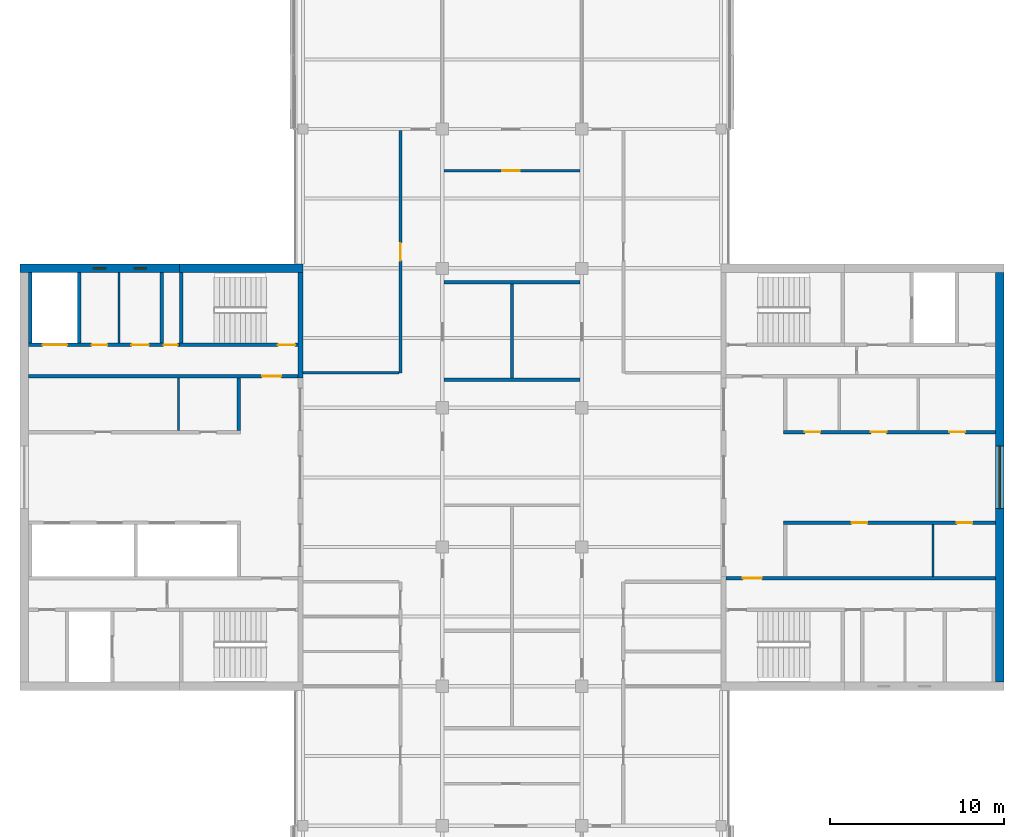
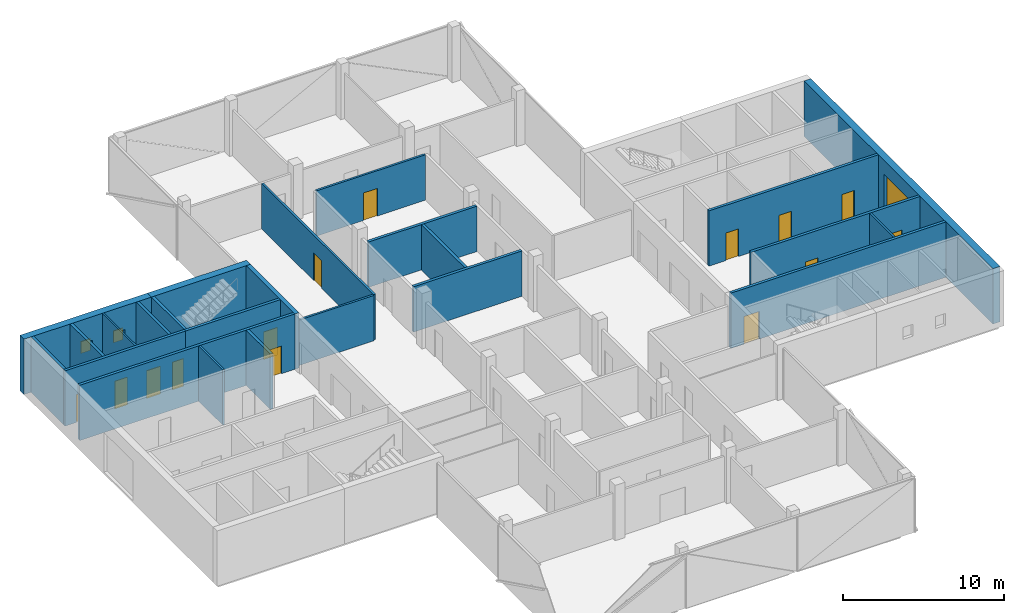
# One storey, part 11 of 16: 24 walls, 14 doors, 3 windows, 17 openings.
"""IFC4 building model written with IfcOpenShell, lengths in metres."""

from ifc_helpers import new_model, si_unit, direction, frame, frame_2d, origin, place, context, subcontext, project, spatial, rectangle, extrude, material, layer, layer_set, constituent, constituent_set, type_object, element, fill, save


model = new_model("IFC4")

# Units and contexts
model_context = context("Model", 3, precision=1e-05, world=origin(), true_north=direction((0.0, 1.0)))
body_context = subcontext(model_context, "Body", "Model", "MODEL_VIEW")
ifc_project = project(units=[si_unit("LENGTHUNIT", "METRE"), si_unit("AREAUNIT", "SQUARE_METRE"), si_unit("VOLUMEUNIT", "CUBIC_METRE"), si_unit("PLANEANGLEUNIT", "RADIAN"), si_unit("MASSUNIT", "GRAM", prefix="KILO")], contexts=[model_context])

# Site, building, storey
site_placement = place(None, origin())
site = spatial("IfcSite", under=ifc_project, at=site_placement, CompositionType="ELEMENT")
building_placement = place(site_placement, origin())
building = spatial("IfcBuilding", under=site, at=building_placement, Name="Crosswind Convention Tower", CompositionType="ELEMENT")
storey_placement = place(building_placement, frame((0.0, 0.0, 287.10009765625)))
storey = spatial("IfcBuildingStorey", under=building, at=storey_placement, Name="L62", CompositionType="ELEMENT", Elevation=287.10009765625)

# Walls
ifc_material_1 = material(Name="Concrete blockwork", Category="masonry")
ifc_layer_1 = layer(ifc_material_1, 0.199951171875)
ifc_layer_set_1 = layer_set([ifc_layer_1], Name="Blockwork partition wall 200")
wall_type_1 = type_object("IfcWallType", Name="Blockwork partition wall 200", PredefinedType="PARTITIONING", material=ifc_layer_set_1)
wall_1_placement = place(storey_placement, frame((104.89990234375, 111.75, 0.0), z_axis=(0.0, 0.0, 1.0), x_axis=(0.0, -1.0, 0.0)))
element("IfcWall", 1, at=wall_1_placement, inside=storey, type_object=wall_type_1, Name="Wall MRSE W L62", PredefinedType="PARTITIONING", context=body_context, shape_type="SweptSolid", body=[
    extrude(rectangle(XDim=4.050048828125, YDim=0.199951171875, at=frame_2d((2.02490234375, 0.0))), origin(), (0.0, 0.0, 1.0), 4.199951171875),
])
ifc_layer_2 = layer(ifc_material_1, 0.199951171875)
ifc_layer_set_2 = layer_set([ifc_layer_2], Name="COMPARTMENT WALL 200 BLOCKWORK")
wall_type_2 = type_object("IfcWallType", Name="COMPARTMENT WALL 200 BLOCKWORK", PredefinedType="SOLIDWALL", material=ifc_layer_set_2)
wall_2_placement = place(storey_placement, frame((125.0, 105.699951171875, 0.0), z_axis=(0.0, 0.0, 1.0), x_axis=(0.0, 1.0, 0.0)))
element("IfcWall", 2, at=wall_2_placement, inside=storey, type_object=wall_type_2, Name="Compartment wall WT42", PredefinedType="SOLIDWALL", context=body_context, shape_type="SweptSolid", body=[
    extrude(rectangle(XDim=5.400146484375, YDim=0.199951171875, at=frame_2d((2.7001953125, 0.0))), origin(), (0.0, 0.0, 1.0), 3.442626953125),
])
for number, where, z_axis, x_axis, name in (
    (3, (121.10009765625, 105.60009765625, 0.0), (0.0, 0.0, 1.0), (1.0, 0.0, 0.0), "Compartment wall WT42"),
    (4, (121.10009765625, 111.199951171875, 0.0), (0.0, 0.0, 1.0), (1.0, 0.0, 0.0), "Compartment wall WT42"),
):
    element("IfcWall", number, at=place(storey_placement, frame(where, z_axis=z_axis, x_axis=x_axis)), inside=storey, type_object=wall_type_2, Name=name, PredefinedType="SOLIDWALL", context=body_context, shape_type="SweptSolid", body=[
        extrude(rectangle(XDim=7.7998046875, YDim=0.199951171875, at=frame_2d((3.89990234375, 0.0))), origin(), (0.0, 0.0, 1.0), 3.442626953125),
    ])
ifc_material_2 = material(Name="Concrete C50/60", Category="concrete")
ifc_layer_3 = layer(ifc_material_2, 0.300048828125)
ifc_layer_set_3 = layer_set([ifc_layer_3], Name="Concrete C50/60")
wall_type_3 = type_object("IfcWallType", Name="Concrete inner core wall 300", PredefinedType="SHEAR", material=ifc_layer_set_3)
wall_3_placement = place(storey_placement, frame((112.85009765625, 111.75, 0.0), z_axis=(0.0, 0.0, 1.0), x_axis=(0.0, -1.0, 0.0)))
element("IfcWall", 5, at=wall_3_placement, inside=storey, type_object=wall_type_3, Name="Wall EM W L62", PredefinedType="SHEAR", context=body_context, shape_type="SweptSolid", body=[
    extrude(rectangle(XDim=6.050048828125, YDim=0.300048828125, at=frame_2d((3.02490234375, 0.0))), origin(), (0.0, 0.0, 1.0), 4.199951171875),
])

# Wall, openings, doors
ifc_layer_4 = layer(ifc_material_2, 0.199951171875)
ifc_layer_set_4 = layer_set([ifc_layer_4], Name="Concrete C50/60")
wall_type_4 = type_object("IfcWallType", Name="Concrete shaft and stair wall 200", PredefinedType="SHEAR", material=ifc_layer_set_4)
wall_4_placement = place(storey_placement, frame((140.60009765625, 102.60009765625, 0.0), z_axis=(0.0, 0.0, 1.0), x_axis=(1.0, 0.0, 0.0)))
wall_4 = element("IfcWall", 6, at=wall_4_placement, inside=storey, type_object=wall_type_4, Name="Wall RPFRONT E L62", PredefinedType="SHEAR", context=body_context, shape_type="SweptSolid", body=[
    extrude(rectangle(XDim=12.14990234375, YDim=0.199951171875, at=frame_2d((6.074951171875, 0.0))), origin(), (0.0, 0.0, 1.0), 4.199951171875),
])
opening_1_placement = place(wall_4_placement, frame((1.21240234375, 0.0, 0.0)))
opening_1 = element("IfcOpeningElement", 7, at=opening_1_placement, cuts=wall_4, Name="Opening D106", PredefinedType="OPENING", context=body_context, shape_type="SweptSolid", body=[
    extrude(rectangle(XDim=0.89990234375, YDim=2.10009765625, at=frame_2d((0.449951171875, 1.050048828125))), frame((0.0, 0.10986328125, 0.0), z_axis=(0.0, -1.0, 0.0), x_axis=(1.0, 0.0, 0.0)), (0.0, 0.0, 1.0), 0.219970703125),
])
opening_2_placement = place(wall_4_placement, frame((5.008056640625, 0.0, 0.0)))
opening_2 = element("IfcOpeningElement", 8, at=opening_2_placement, cuts=wall_4, Name="Opening D106", PredefinedType="OPENING", context=body_context, shape_type="SweptSolid", body=[
    extrude(rectangle(XDim=0.89990234375, YDim=2.10009765625, at=frame_2d((0.449951171875, 1.050048828125))), frame((0.0, 0.10986328125, 0.0), z_axis=(0.0, -1.0, 0.0), x_axis=(1.0, 0.0, 0.0)), (0.0, 0.0, 1.0), 0.219970703125),
])
opening_3_placement = place(wall_4_placement, frame((9.5205078125, 0.0, 0.0)))
opening_3 = element("IfcOpeningElement", 9, at=opening_3_placement, cuts=wall_4, Name="Opening D106", PredefinedType="OPENING", context=body_context, shape_type="SweptSolid", body=[
    extrude(rectangle(XDim=0.89990234375, YDim=2.10009765625, at=frame_2d((0.449951171875, 1.050048828125))), frame((0.0, 0.10986328125, 0.0), z_axis=(0.0, -1.0, 0.0), x_axis=(1.0, 0.0, 0.0)), (0.0, 0.0, 1.0), 0.219970703125),
])
ifc_material_3 = material(Name="Timber door", Category="wood")
door_type_1 = type_object("IfcDoorType", Name="Single leaf door 900x2100", OperationType="NOTDEFINED", PredefinedType="DOOR", material=ifc_material_3)
door_1_placement = place(opening_1_placement, origin())
door_1 = element("IfcDoor", 10, at=door_1_placement, inside=storey, type_object=door_type_1, Name="Door to meeting room L62", ObjectType="D106", OperationType="SINGLE_SWING_RIGHT", OverallHeight=2.10009765625, OverallWidth=0.89990234375, PredefinedType="DOOR", context=body_context, shape_type="SweptSolid", body=[
    extrude(rectangle(XDim=0.89990234375, YDim=2.10009765625, at=frame_2d((0.449951171875, 1.050048828125))), frame((0.0, 0.02490234375, 0.0), z_axis=(0.0, -1.0, 0.0), x_axis=(1.0, 0.0, 0.0)), (0.0, 0.0, 1.0), 0.050048828125),
])
fill(opening_1, door_1)
door_2_placement = place(opening_2_placement, origin())
door_2 = element("IfcDoor", 11, at=door_2_placement, inside=storey, type_object=door_type_1, Name="Door to pantry L62", ObjectType="D106", OperationType="SINGLE_SWING_RIGHT", OverallHeight=2.10009765625, OverallWidth=0.89990234375, PredefinedType="DOOR", context=body_context, shape_type="SweptSolid", body=[
    extrude(rectangle(XDim=0.89990234375, YDim=2.10009765625, at=frame_2d((0.449951171875, 1.050048828125))), frame((0.0, 0.02490234375, 0.0), z_axis=(0.0, -1.0, 0.0), x_axis=(1.0, 0.0, 0.0)), (0.0, 0.0, 1.0), 0.050048828125),
])
fill(opening_2, door_2)
door_3_placement = place(opening_3_placement, origin())
door_3 = element("IfcDoor", 12, at=door_3_placement, inside=storey, type_object=door_type_1, Name="Door to telecoms room L62", ObjectType="D106", OperationType="SINGLE_SWING_RIGHT", OverallHeight=2.10009765625, OverallWidth=0.89990234375, PredefinedType="DOOR", context=body_context, shape_type="SweptSolid", body=[
    extrude(rectangle(XDim=0.89990234375, YDim=2.10009765625, at=frame_2d((0.449951171875, 1.050048828125))), frame((0.0, 0.02490234375, 0.0), z_axis=(0.0, -1.0, 0.0), x_axis=(1.0, 0.0, 0.0)), (0.0, 0.0, 1.0), 0.050048828125),
])
fill(opening_3, door_3)

wall_5_placement = place(storey_placement, frame((140.60009765625, 97.39990234375, 0.0), z_axis=(0.0, 0.0, 1.0), x_axis=(1.0, 0.0, 0.0)))
wall_5 = element("IfcWall", 13, at=wall_5_placement, inside=storey, type_object=wall_type_4, Name="Wall RMFRONT E L62", PredefinedType="SHEAR", context=body_context, shape_type="SweptSolid", body=[
    extrude(rectangle(XDim=12.14990234375, YDim=0.199951171875, at=frame_2d((6.074951171875, 0.0))), origin(), (0.0, 0.0, 1.0), 4.199951171875),
])
opening_4_placement = place(wall_5_placement, frame((3.9013671875, 0.0, 0.0)))
opening_4 = element("IfcOpeningElement", 14, at=opening_4_placement, cuts=wall_5, Name="Opening D106", PredefinedType="OPENING", context=body_context, shape_type="SweptSolid", body=[
    extrude(rectangle(XDim=0.89990234375, YDim=2.10009765625, at=frame_2d((0.449951171875, 1.050048828125))), frame((0.0, 0.10986328125, 0.0), z_axis=(0.0, -1.0, 0.0), x_axis=(1.0, 0.0, 0.0)), (0.0, 0.0, 1.0), 0.219970703125),
])
opening_5_placement = place(wall_5_placement, frame((9.938720703125, 0.0, 0.0)))
opening_5 = element("IfcOpeningElement", 15, at=opening_5_placement, cuts=wall_5, Name="Opening D106", PredefinedType="OPENING", context=body_context, shape_type="SweptSolid", body=[
    extrude(rectangle(XDim=0.89990234375, YDim=2.10009765625, at=frame_2d((0.449951171875, 1.050048828125))), frame((0.0, 0.10986328125, 0.0), z_axis=(0.0, -1.0, 0.0), x_axis=(1.0, 0.0, 0.0)), (0.0, 0.0, 1.0), 0.219970703125),
])
door_4_placement = place(opening_4_placement, frame((0.89990234375, 0.0, 0.0), z_axis=(0.0, 0.0, 1.0), x_axis=(-1.0, 0.0, 0.0)))
door_4 = element("IfcDoor", 16, at=door_4_placement, inside=storey, type_object=door_type_1, Name="Door to pantry L62", ObjectType="D106", OperationType="SINGLE_SWING_LEFT", OverallHeight=2.10009765625, OverallWidth=0.89990234375, PredefinedType="DOOR", context=body_context, shape_type="SweptSolid", body=[
    extrude(rectangle(XDim=0.89990234375, YDim=2.10009765625, at=frame_2d((0.449951171875, 1.050048828125))), frame((0.0, 0.02490234375, 0.0), z_axis=(0.0, -1.0, 0.0), x_axis=(1.0, 0.0, 0.0)), (0.0, 0.0, 1.0), 0.050048828125),
])
fill(opening_4, door_4)
door_5_placement = place(opening_5_placement, frame((0.89990234375, 0.0, 0.0), z_axis=(0.0, 0.0, 1.0), x_axis=(-1.0, 0.0, 0.0)))
door_5 = element("IfcDoor", 17, at=door_5_placement, inside=storey, type_object=door_type_1, Name="Door to telecoms room L62", ObjectType="D106", OperationType="SINGLE_SWING_LEFT", OverallHeight=2.10009765625, OverallWidth=0.89990234375, PredefinedType="DOOR", context=body_context, shape_type="SweptSolid", body=[
    extrude(rectangle(XDim=0.89990234375, YDim=2.10009765625, at=frame_2d((0.449951171875, 1.050048828125))), frame((0.0, 0.02490234375, 0.0), z_axis=(0.0, -1.0, 0.0), x_axis=(1.0, 0.0, 0.0)), (0.0, 0.0, 1.0), 0.050048828125),
])
fill(opening_5, door_5)

# Wall, opening, door
wall_6_placement = place(storey_placement, frame((137.300048828125, 94.199951171875, 0.0), z_axis=(0.0, 0.0, 1.0), x_axis=(1.0, 0.0, 0.0)))
wall_6 = element("IfcWall", 18, at=wall_6_placement, inside=storey, type_object=wall_type_4, Name="Wall HM E L62", PredefinedType="SHEAR", context=body_context, shape_type="SweptSolid", body=[
    extrude(rectangle(XDim=15.449951171875, YDim=0.199951171875, at=frame_2d((7.72509765625, 0.0))), origin(), (0.0, 0.0, 1.0), 4.199951171875),
])
opening_6_placement = place(wall_6_placement, frame((0.949951171875, 0.0, 0.0)))
opening_6 = element("IfcOpeningElement", 19, at=opening_6_placement, cuts=wall_6, Name="Opening D104", PredefinedType="OPENING", context=body_context, shape_type="SweptSolid", body=[
    extrude(rectangle(XDim=1.10009765625, YDim=2.10009765625, at=frame_2d((0.550048828125, 1.050048828125))), frame((0.0, 0.10986328125, 0.0), z_axis=(0.0, -1.0, 0.0), x_axis=(1.0, 0.0, 0.0)), (0.0, 0.0, 1.0), 0.219970703125),
])
ifc_material_4 = material(Name="Steel fire door", Category="steel")
door_type_2 = type_object("IfcDoorType", Name="Fire-rated single door 1100x2100", OperationType="NOTDEFINED", PredefinedType="DOOR", material=ifc_material_4)
door_6_placement = place(opening_6_placement, origin())
door_6 = element("IfcDoor", 20, at=door_6_placement, inside=storey, type_object=door_type_2, Name="Corridor door L62", ObjectType="D104", OperationType="SINGLE_SWING_LEFT", OverallHeight=2.10009765625, OverallWidth=1.10009765625, PredefinedType="DOOR", context=body_context, shape_type="SweptSolid", body=[
    extrude(rectangle(XDim=1.10009765625, YDim=2.10009765625, at=frame_2d((0.550048828125, 1.050048828125))), frame((0.0, 0.02490234375, 0.0), z_axis=(0.0, -1.0, 0.0), x_axis=(1.0, 0.0, 0.0)), (0.0, 0.0, 1.0), 0.050048828125),
])
fill(opening_6, door_6)

# Wall
wall_7_placement = place(storey_placement, frame((109.300048828125, 105.699951171875, 0.0), z_axis=(0.0, 0.0, 1.0), x_axis=(0.0, -1.0, 0.0)))
element("IfcWall", 21, at=wall_7_placement, inside=storey, type_object=wall_type_4, Name="Wall RMEND W L62", PredefinedType="SHEAR", context=body_context, shape_type="SweptSolid", body=[
    extrude(rectangle(XDim=3.0, YDim=0.199951171875, at=frame_2d((1.5, 0.0))), origin(), (0.0, 0.0, 1.0), 4.199951171875),
])

# Wall, opening, door
wall_8_placement = place(storey_placement, frame((112.699951171875, 105.800048828125, 0.0), z_axis=(0.0, 0.0, 1.0), x_axis=(-1.0, 0.0, 0.0)))
wall_8 = element("IfcWall", 22, at=wall_8_placement, inside=storey, type_object=wall_type_4, Name="Wall HM W L62", PredefinedType="SHEAR", context=body_context, shape_type="SweptSolid", body=[
    extrude(rectangle(XDim=15.449951171875, YDim=0.199951171875, at=frame_2d((7.72509765625, 0.0))), origin(), (0.0, 0.0, 1.0), 4.199951171875),
])
opening_7_placement = place(wall_8_placement, frame((0.949951171875, 0.0, 0.0)))
opening_7 = element("IfcOpeningElement", 23, at=opening_7_placement, cuts=wall_8, Name="Opening D104", PredefinedType="OPENING", context=body_context, shape_type="SweptSolid", body=[
    extrude(rectangle(XDim=1.10009765625, YDim=2.10009765625, at=frame_2d((0.550048828125, 1.050048828125))), frame((0.0, 0.10986328125, 0.0), z_axis=(0.0, -1.0, 0.0), x_axis=(1.0, 0.0, 0.0)), (0.0, 0.0, 1.0), 0.219970703125),
])
door_7_placement = place(opening_7_placement, origin())
door_7 = element("IfcDoor", 24, at=door_7_placement, inside=storey, type_object=door_type_2, Name="Corridor door L62", ObjectType="D104", OperationType="SINGLE_SWING_LEFT", OverallHeight=2.10009765625, OverallWidth=1.10009765625, PredefinedType="DOOR", context=body_context, shape_type="SweptSolid", body=[
    extrude(rectangle(XDim=1.10009765625, YDim=2.10009765625, at=frame_2d((0.550048828125, 1.050048828125))), frame((0.0, 0.02490234375, 0.0), z_axis=(0.0, -1.0, 0.0), x_axis=(1.0, 0.0, 0.0)), (0.0, 0.0, 1.0), 0.050048828125),
])
fill(opening_7, door_7)

# Walls
for number, where, z_axis, x_axis, name in (
    (25, (106.0, 111.75, 0.0), (0.0, 0.0, 1.0), (0.0, -1.0, 0.0), "Wall MSE W L62"),
    (26, (100.14990234375, 111.75, 0.0), (0.0, 0.0, 1.0), (0.0, -1.0, 0.0), "Wall MFSW W L62"),
    (27, (97.35009765625, 111.75, 0.0), (0.0, 0.0, 1.0), (0.0, -1.0, 0.0), "Wall MFSE W L62"),
):
    element("IfcWall", number, at=place(storey_placement, frame(where, z_axis=z_axis, x_axis=x_axis)), inside=storey, type_object=wall_type_4, Name=name, PredefinedType="SHEAR", context=body_context, shape_type="SweptSolid", body=[
        extrude(rectangle(XDim=4.050048828125, YDim=0.199951171875, at=frame_2d((2.02490234375, 0.0))), origin(), (0.0, 0.0, 1.0), 4.199951171875),
    ])

# Wall, opening, door
wall_9_placement = place(storey_placement, frame((112.699951171875, 107.60009765625, 0.0), z_axis=(0.0, 0.0, 1.0), x_axis=(-1.0, 0.0, 0.0)))
wall_9 = element("IfcWall", 28, at=wall_9_placement, inside=storey, type_object=wall_type_4, Name="Wall MCW W L62", PredefinedType="SHEAR", context=body_context, shape_type="SweptSolid", body=[
    extrude(rectangle(XDim=6.800048828125, YDim=0.199951171875, at=frame_2d((3.39990234375, 0.0))), origin(), (0.0, 0.0, 1.0), 4.199951171875),
])
opening_8_placement = place(wall_9_placement, frame((0.14990234375, 0.0, 0.0)))
opening_8 = element("IfcOpeningElement", 29, at=opening_8_placement, cuts=wall_9, Name="Opening D103", PredefinedType="OPENING", context=body_context, shape_type="SweptSolid", body=[
    extrude(rectangle(XDim=1.0, YDim=2.10009765625, at=frame_2d((0.5, 1.050048828125))), frame((0.0, 0.10986328125, 0.0), z_axis=(0.0, -1.0, 0.0), x_axis=(1.0, 0.0, 0.0)), (0.0, 0.0, 1.0), 0.219970703125),
])
door_type_3 = type_object("IfcDoorType", Name="Fire-rated single door 1000x2100", OperationType="NOTDEFINED", PredefinedType="DOOR", material=ifc_material_4)
door_8_placement = place(opening_8_placement, frame((1.0, 0.0, 0.0), z_axis=(0.0, 0.0, 1.0), x_axis=(-1.0, 0.0, 0.0)))
door_8 = element("IfcDoor", 30, at=door_8_placement, inside=storey, type_object=door_type_3, Name="Stair ST4 door L62", ObjectType="D103", OperationType="SINGLE_SWING_RIGHT", OverallHeight=2.10009765625, OverallWidth=1.0, PredefinedType="DOOR", context=body_context, shape_type="SweptSolid", body=[
    extrude(rectangle(XDim=1.0, YDim=2.10009765625, at=frame_2d((0.5, 1.050048828125))), frame((0.0, 0.02490234375, 0.0), z_axis=(0.0, -1.0, 0.0), x_axis=(1.0, 0.0, 0.0)), (0.0, 0.0, 1.0), 0.050048828125),
])
fill(opening_8, door_8)

# Wall, openings, doors
wall_10_placement = place(storey_placement, frame((105.89990234375, 107.60009765625, 0.0), z_axis=(0.0, 0.0, 1.0), x_axis=(-1.0, 0.0, 0.0)))
wall_10 = element("IfcWall", 31, at=wall_10_placement, inside=storey, type_object=wall_type_4, Name="Wall MCX W L62", PredefinedType="SHEAR", context=body_context, shape_type="SweptSolid", body=[
    extrude(rectangle(XDim=8.64990234375, YDim=0.199951171875, at=frame_2d((4.324951171875, 0.0))), origin(), (0.0, 0.0, 1.0), 4.199951171875),
])
opening_9_placement = place(wall_10_placement, frame((0.10009765625, 0.0, 0.0)))
opening_9 = element("IfcOpeningElement", 32, at=opening_9_placement, cuts=wall_10, Name="Opening D105", PredefinedType="OPENING", context=body_context, shape_type="SweptSolid", body=[
    extrude(rectangle(XDim=0.800048828125, YDim=2.10009765625, at=frame_2d((0.39990234375, 1.050048828125))), frame((0.0, 0.10986328125, 0.0), z_axis=(0.0, -1.0, 0.0), x_axis=(1.0, 0.0, 0.0)), (0.0, 0.0, 1.0), 0.219970703125),
])
opening_10_placement = place(wall_10_placement, frame((1.751708984375, 0.0, 0.0)))
opening_10 = element("IfcOpeningElement", 33, at=opening_10_placement, cuts=wall_10, Name="Opening D103", PredefinedType="OPENING", context=body_context, shape_type="SweptSolid", body=[
    extrude(rectangle(XDim=1.0, YDim=2.10009765625, at=frame_2d((0.5, 1.050048828125))), frame((0.0, 0.10986328125, 0.0), z_axis=(0.0, -1.0, 0.0), x_axis=(1.0, 0.0, 0.0)), (0.0, 0.0, 1.0), 0.219970703125),
])
opening_11_placement = place(wall_10_placement, frame((4.13916015625, 0.0, 0.0)))
opening_11 = element("IfcOpeningElement", 34, at=opening_11_placement, cuts=wall_10, Name="Opening D106", PredefinedType="OPENING", context=body_context, shape_type="SweptSolid", body=[
    extrude(rectangle(XDim=0.89990234375, YDim=2.10009765625, at=frame_2d((0.449951171875, 1.050048828125))), frame((0.0, 0.10986328125, 0.0), z_axis=(0.0, -1.0, 0.0), x_axis=(1.0, 0.0, 0.0)), (0.0, 0.0, 1.0), 0.219970703125),
])
opening_12_placement = place(wall_10_placement, frame((6.449951171875, 0.0, 0.0)))
opening_12 = element("IfcOpeningElement", 35, at=opening_12_placement, cuts=wall_10, Name="Opening LD2", PredefinedType="OPENING", context=body_context, shape_type="SweptSolid", body=[
    extrude(rectangle(XDim=1.39990234375, YDim=2.10009765625, at=frame_2d((0.699951171875, 1.050048828125))), frame((0.0, 0.10986328125, 0.0), z_axis=(0.0, -1.0, 0.0), x_axis=(1.0, 0.0, 0.0)), (0.0, 0.0, 1.0), 0.219970703125),
])
door_9_placement = place(opening_10_placement, frame((1.0, 0.0, 0.0), z_axis=(0.0, 0.0, 1.0), x_axis=(-1.0, 0.0, 0.0)))
door_9 = element("IfcDoor", 36, at=door_9_placement, inside=storey, type_object=door_type_3, Name="Door to accessible wc L62", ObjectType="D103", OperationType="SINGLE_SWING_LEFT", OverallHeight=2.10009765625, OverallWidth=1.0, PredefinedType="DOOR", context=body_context, shape_type="SweptSolid", body=[
    extrude(rectangle(XDim=1.0, YDim=2.10009765625, at=frame_2d((0.5, 1.050048828125))), frame((0.0, 0.02490234375, 0.0), z_axis=(0.0, -1.0, 0.0), x_axis=(1.0, 0.0, 0.0)), (0.0, 0.0, 1.0), 0.050048828125),
])
fill(opening_10, door_9)
ifc_material_5 = material(Name="Stainless steel", Category="steel")
door_type_4 = type_object("IfcDoorType", Name="Lift landing door 1400x2100", OperationType="DOUBLE_DOOR_SLIDING", PredefinedType="DOOR", material=ifc_material_5)
door_10_placement = place(opening_12_placement, origin())
door_10 = element("IfcDoor", 37, at=door_10_placement, inside=storey, type_object=door_type_4, Name="Landing door SV2 L62", ObjectType="LD2", OperationType="DOUBLE_DOOR_SLIDING", OverallHeight=2.10009765625, OverallWidth=1.39990234375, PredefinedType="DOOR", context=body_context, shape_type="SweptSolid", body=[
    extrude(rectangle(XDim=1.39990234375, YDim=2.10009765625, at=frame_2d((0.699951171875, 1.050048828125))), frame((0.0, 0.02490234375, 0.0), z_axis=(0.0, -1.0, 0.0), x_axis=(1.0, 0.0, 0.0)), (0.0, 0.0, 1.0), 0.050048828125),
])
fill(opening_12, door_10)
door_type_5 = type_object("IfcDoorType", Name="Riser access door 800x2100", OperationType="NOTDEFINED", PredefinedType="DOOR", material=ifc_material_4)
door_11_placement = place(opening_9_placement, frame((0.800048828125, 0.0, 0.0), z_axis=(0.0, 0.0, 1.0), x_axis=(-1.0, 0.0, 0.0)))
door_11 = element("IfcDoor", 38, at=door_11_placement, inside=storey, type_object=door_type_5, Name="Riser door L62", ObjectType="D105", OperationType="SINGLE_SWING_LEFT", OverallHeight=2.10009765625, OverallWidth=0.800048828125, PredefinedType="DOOR", context=body_context, shape_type="SweptSolid", body=[
    extrude(rectangle(XDim=0.800048828125, YDim=2.10009765625, at=frame_2d((0.39990234375, 1.050048828125))), frame((0.0, 0.02490234375, 0.0), z_axis=(0.0, -1.0, 0.0), x_axis=(1.0, 0.0, 0.0)), (0.0, 0.0, 1.0), 0.050048828125),
])
fill(opening_9, door_11)
door_12_placement = place(opening_11_placement, frame((0.89990234375, 0.0, 0.0), z_axis=(0.0, 0.0, 1.0), x_axis=(-1.0, 0.0, 0.0)))
door_12 = element("IfcDoor", 39, at=door_12_placement, inside=storey, type_object=door_type_1, Name="Door to wc L62", ObjectType="D106", OperationType="SINGLE_SWING_LEFT", OverallHeight=2.10009765625, OverallWidth=0.89990234375, PredefinedType="DOOR", context=body_context, shape_type="SweptSolid", body=[
    extrude(rectangle(XDim=0.89990234375, YDim=2.10009765625, at=frame_2d((0.449951171875, 1.050048828125))), frame((0.0, 0.02490234375, 0.0), z_axis=(0.0, -1.0, 0.0), x_axis=(1.0, 0.0, 0.0)), (0.0, 0.0, 1.0), 0.050048828125),
])
fill(opening_11, door_12)

# Walls
ifc_material_6 = material(Name="Gypsum plasterboard partition", Category="gypsum")
ifc_layer_5 = layer(ifc_material_6, 0.125)
ifc_layer_set_5 = layer_set([ifc_layer_5], Name="Drywall partition wall 125")
wall_type_5 = type_object("IfcWallType", Name="Drywall partition wall 125", PredefinedType="PARTITIONING", material=ifc_layer_set_5)
for number, where, z_axis, x_axis, name in (
    (40, (149.1650390625, 94.300048828125, 0.0), (0.0, 0.0, 1.0), (0.0, 1.0, 0.0), "Wall RMP1 E L62"),
    (41, (105.85400390625, 105.699951171875, 0.0), (0.0, 0.0, 1.0), (0.0, -1.0, 0.0), "Wall RMP1 W L62"),
):
    element("IfcWall", number, at=place(storey_placement, frame(where, z_axis=z_axis, x_axis=x_axis)), inside=storey, type_object=wall_type_5, Name=name, PredefinedType="PARTITIONING", context=body_context, shape_type="SweptSolid", body=[
        extrude(rectangle(XDim=3.0, YDim=0.125, at=frame_2d((1.5, 0.0))), origin(), (0.0, 0.0, 1.0), 4.199951171875),
    ])
wall_11_placement = place(storey_placement, frame((102.43408203125, 111.75, 0.0), z_axis=(0.0, 0.0, 1.0), x_axis=(0.0, -1.0, 0.0)))
element("IfcWall", 42, at=wall_11_placement, inside=storey, type_object=wall_type_5, Name="Wall MWP1 W L62", PredefinedType="PARTITIONING", context=body_context, shape_type="SweptSolid", body=[
    extrude(rectangle(XDim=4.050048828125, YDim=0.125, at=frame_2d((2.02490234375, 0.0))), origin(), (0.0, 0.0, 1.0), 4.199951171875),
])

# Wall, opening, door
ifc_material_7 = material(Name="Fire-board partition with mineral wool", Category="gypsum")
ifc_layer_6 = layer(ifc_material_7, 0.14990234375)
ifc_layer_set_6 = layer_set([ifc_layer_6], Name="TENANCY WALL 150 TWO-HOUR BOARD")
wall_type_6 = type_object("IfcWallType", Name="TENANCY WALL 150 TWO-HOUR BOARD", PredefinedType="PARTITIONING", material=ifc_layer_set_6)
wall_12_placement = place(storey_placement, frame((118.60009765625, 106.0, 0.0), z_axis=(0.0, 0.0, 1.0), x_axis=(0.0, 1.0, 0.0)))
wall_12 = element("IfcWall", 43, at=wall_12_placement, inside=storey, type_object=wall_type_6, Name="Tenancy wall WT41", PredefinedType="PARTITIONING", context=body_context, shape_type="SweptSolid", body=[
    extrude(rectangle(XDim=13.925048828125, YDim=0.14990234375, at=frame_2d((6.96240234375, 0.0))), origin(), (0.0, 0.0, 1.0), 3.442626953125),
])
opening_13_placement = place(wall_12_placement, frame((6.449951171875, 0.0, 0.0)))
opening_13 = element("IfcOpeningElement", 44, at=opening_13_placement, cuts=wall_12, Name="Opening L62-54", PredefinedType="OPENING", context=body_context, shape_type="SweptSolid", body=[
    extrude(rectangle(XDim=1.0, YDim=2.10009765625, at=frame_2d((0.5, 1.050048828125))), frame((0.0, 0.0849609375, 0.0), z_axis=(0.0, -1.0, 0.0), x_axis=(1.0, 0.0, 0.0)), (0.0, 0.0, 1.0), 0.169921875),
])
ifc_material_8 = material(Name="Timber fire door", Category="wood")
door_type_6 = type_object("IfcDoorType", Name="TENANCY ENTRANCE DOOR 1000X2100 FD30S", OperationType="NOTDEFINED", PredefinedType="DOOR", material=ifc_material_8)
door_13_placement = place(opening_13_placement, origin())
door_13 = element("IfcDoor", 45, at=door_13_placement, inside=storey, type_object=door_type_6, Name="Door L62-54", ObjectType="D41", OperationType="SINGLE_SWING_RIGHT", OverallHeight=2.10009765625, OverallWidth=1.0, PredefinedType="DOOR", context=body_context, shape_type="SweptSolid", body=[
    extrude(rectangle(XDim=1.0, YDim=2.10009765625, at=frame_2d((0.5, 1.050048828125))), frame((0.0, 0.02490234375, 0.0), z_axis=(0.0, -1.0, 0.0), x_axis=(1.0, 0.0, 0.0)), (0.0, 0.0, 1.0), 0.050048828125),
])
fill(opening_13, door_13)

# Wall
wall_13_placement = place(storey_placement, frame((113.0, 106.0, 0.0), z_axis=(0.0, 0.0, 1.0), x_axis=(1.0, 0.0, 0.0)))
element("IfcWall", 46, at=wall_13_placement, inside=storey, type_object=wall_type_6, Name="Tenancy wall WT41", PredefinedType="PARTITIONING", context=body_context, shape_type="SweptSolid", body=[
    extrude(rectangle(XDim=5.52490234375, YDim=0.14990234375, at=frame_2d((2.762451171875, 0.0))), origin(), (0.0, 0.0, 1.0), 3.442626953125),
])

# Wall, opening, door
wall_14_placement = place(storey_placement, frame((121.10009765625, 117.60009765625, 0.0), z_axis=(0.0, 0.0, 1.0), x_axis=(1.0, 0.0, 0.0)))
wall_14 = element("IfcWall", 47, at=wall_14_placement, inside=storey, type_object=wall_type_6, Name="Tenancy wall WT41", PredefinedType="PARTITIONING", context=body_context, shape_type="SweptSolid", body=[
    extrude(rectangle(XDim=7.7998046875, YDim=0.14990234375, at=frame_2d((3.89990234375, 0.0))), origin(), (0.0, 0.0, 1.0), 3.442626953125),
])
opening_14_placement = place(wall_14_placement, frame((3.35009765625, 0.0, 0.0)))
opening_14 = element("IfcOpeningElement", 48, at=opening_14_placement, cuts=wall_14, Name="Opening L62-72", PredefinedType="OPENING", context=body_context, shape_type="SweptSolid", body=[
    extrude(rectangle(XDim=1.0, YDim=2.10009765625, at=frame_2d((0.5, 1.050048828125))), frame((0.0, 0.0849609375, 0.0), z_axis=(0.0, -1.0, 0.0), x_axis=(1.0, 0.0, 0.0)), (0.0, 0.0, 1.0), 0.169921875),
])
door_14_placement = place(opening_14_placement, frame((1.0, 0.0, 0.0), z_axis=(0.0, 0.0, 1.0), x_axis=(-1.0, 0.0, 0.0)))
door_14 = element("IfcDoor", 49, at=door_14_placement, inside=storey, type_object=door_type_6, Name="Door L62-72", ObjectType="D41", OperationType="SINGLE_SWING_RIGHT", OverallHeight=2.10009765625, OverallWidth=1.0, PredefinedType="DOOR", context=body_context, shape_type="SweptSolid", body=[
    extrude(rectangle(XDim=1.0, YDim=2.10009765625, at=frame_2d((0.5, 1.050048828125))), frame((0.0, 0.02490234375, 0.0), z_axis=(0.0, -1.0, 0.0), x_axis=(1.0, 0.0, 0.0)), (0.0, 0.0, 1.0), 0.050048828125),
])
fill(opening_14, door_14)

# Wall, opening, window
ifc_material_9 = material(Name="Concrete C60/75", Category="concrete")
ifc_constituent_1 = constituent(ifc_material_9, Name="Structure")
ifc_material_10 = material(Name="Terracotta rainscreen", Category="ceramic")
ifc_constituent_2 = constituent(ifc_material_10, Name="Facing")
ifc_constituent_set = constituent_set(constituents=[ifc_constituent_1, ifc_constituent_2], Name="Concrete C60/75, Terracotta rainscreen")
wall_type_7 = type_object("IfcWallType", Name="Terracotta rainscreen on concrete core wall 500", PredefinedType="SHEAR", material=ifc_constituent_set)
wall_15_placement = place(storey_placement, frame((153.0, 88.25, 0.0), z_axis=(0.0, 0.0, 1.0), x_axis=(0.0, 1.0, 0.0)))
wall_15 = element("IfcWall", 50, at=wall_15_placement, inside=storey, type_object=wall_type_7, Name="Wall O E L62", PredefinedType="SHEAR", context=body_context, shape_type="SweptSolid", body=[
    extrude(rectangle(XDim=23.5, YDim=0.5, at=frame_2d((11.75, 0.0))), origin(), (0.0, 0.0, 1.0), 4.199951171875),
])
opening_15_placement = place(wall_15_placement, frame((9.949951171875, 0.0, 0.14990234375)))
opening_15 = element("IfcOpeningElement", 51, at=opening_15_placement, cuts=wall_15, Name="Opening W1", PredefinedType="OPENING", context=body_context, shape_type="SweptSolid", body=[
    extrude(rectangle(XDim=3.60009765625, YDim=3.0, at=frame_2d((1.800048828125, 1.5))), frame((0.0, 0.260009765625, 0.0), z_axis=(0.0, -1.0, 0.0), x_axis=(1.0, 0.0, 0.0)), (0.0, 0.0, 1.0), 0.52001953125),
])
ifc_material_11 = material(Name="Clear laminated glass in aluminium frame", Category="aluminium")
window_type_1 = type_object("IfcWindowType", Name="Lobby end window 3600x3000", PartitioningType="SINGLE_PANEL", PredefinedType="WINDOW", material=ifc_material_11)
window_1_placement = place(opening_15_placement, origin())
window_1 = element("IfcWindow", 52, at=window_1_placement, inside=storey, type_object=window_type_1, Name="Lobby end window L62", ObjectType="W1", OverallHeight=3.0, OverallWidth=3.60009765625, PartitioningType="SINGLE_PANEL", PredefinedType="WINDOW", context=body_context, shape_type="SweptSolid", body=[
    extrude(rectangle(XDim=3.60009765625, YDim=3.0, at=frame_2d((1.800048828125, 1.5))), frame((0.0, 0.030029296875, 0.0), z_axis=(0.0, -1.0, 0.0), x_axis=(1.0, 0.0, 0.0)), (0.0, 0.0, 1.0), 0.06005859375),
])
fill(opening_15, window_1)

# Wall
wall_16_placement = place(storey_placement, frame((113.0, 112.0, 0.0), z_axis=(0.0, 0.0, 1.0), x_axis=(-1.0, 0.0, 0.0)))
element("IfcWall", 53, at=wall_16_placement, inside=storey, type_object=wall_type_7, Name="Wall S1 W L62", PredefinedType="SHEAR", context=body_context, shape_type="SweptSolid", body=[
    extrude(rectangle(XDim=7.10009765625, YDim=0.5, at=frame_2d((3.550048828125, 0.0))), origin(), (0.0, 0.0, 1.0), 4.199951171875),
])

# Wall, openings, windows
wall_17_placement = place(storey_placement, frame((105.89990234375, 112.0, 0.0), z_axis=(0.0, 0.0, 1.0), x_axis=(-1.0, 0.0, 0.0)))
wall_17 = element("IfcWall", 54, at=wall_17_placement, inside=storey, type_object=wall_type_7, Name="Wall S2 W L62", PredefinedType="SHEAR", context=body_context, shape_type="SweptSolid", body=[
    extrude(rectangle(XDim=9.14990234375, YDim=0.5, at=frame_2d((4.574951171875, 0.0))), origin(), (0.0, 0.0, 1.0), 4.199951171875),
])
opening_16_placement = place(wall_17_placement, frame((1.90185546875, 0.0, 1.5)))
opening_16 = element("IfcOpeningElement", 55, at=opening_16_placement, cuts=wall_17, Name="Opening W2", PredefinedType="OPENING", context=body_context, shape_type="SweptSolid", body=[
    extrude(rectangle(XDim=0.699951171875, YDim=0.89990234375, at=frame_2d((0.35009765625, 0.449951171875))), frame((0.0, 0.260009765625, 0.0), z_axis=(0.0, -1.0, 0.0), x_axis=(1.0, 0.0, 0.0)), (0.0, 0.0, 1.0), 0.52001953125),
])
opening_17_placement = place(wall_17_placement, frame((4.2392578125, 0.0, 1.5)))
opening_17 = element("IfcOpeningElement", 56, at=opening_17_placement, cuts=wall_17, Name="Opening W2", PredefinedType="OPENING", context=body_context, shape_type="SweptSolid", body=[
    extrude(rectangle(XDim=0.699951171875, YDim=0.89990234375, at=frame_2d((0.35009765625, 0.449951171875))), frame((0.0, 0.260009765625, 0.0), z_axis=(0.0, -1.0, 0.0), x_axis=(1.0, 0.0, 0.0)), (0.0, 0.0, 1.0), 0.52001953125),
])
ifc_material_12 = material(Name="Obscure glass in aluminium frame", Category="aluminium")
window_type_2 = type_object("IfcWindowType", Name="WC window 700x900", PartitioningType="SINGLE_PANEL", PredefinedType="WINDOW", material=ifc_material_12)
window_2_placement = place(opening_16_placement, origin())
window_2 = element("IfcWindow", 57, at=window_2_placement, inside=storey, type_object=window_type_2, Name="WC window L62", ObjectType="W2", OverallHeight=0.89990234375, OverallWidth=0.699951171875, PartitioningType="SINGLE_PANEL", PredefinedType="WINDOW", context=body_context, shape_type="SweptSolid", body=[
    extrude(rectangle(XDim=0.699951171875, YDim=0.89990234375, at=frame_2d((0.35009765625, 0.449951171875))), frame((0.0, 0.030029296875, 0.0), z_axis=(0.0, -1.0, 0.0), x_axis=(1.0, 0.0, 0.0)), (0.0, 0.0, 1.0), 0.06005859375),
])
fill(opening_16, window_2)
window_3_placement = place(opening_17_placement, origin())
window_3 = element("IfcWindow", 58, at=window_3_placement, inside=storey, type_object=window_type_2, Name="WC window L62", ObjectType="W2", OverallHeight=0.89990234375, OverallWidth=0.699951171875, PartitioningType="SINGLE_PANEL", PredefinedType="WINDOW", context=body_context, shape_type="SweptSolid", body=[
    extrude(rectangle(XDim=0.699951171875, YDim=0.89990234375, at=frame_2d((0.35009765625, 0.449951171875))), frame((0.0, 0.030029296875, 0.0), z_axis=(0.0, -1.0, 0.0), x_axis=(1.0, 0.0, 0.0)), (0.0, 0.0, 1.0), 0.06005859375),
])
fill(opening_17, window_3)

save(model, "model.ifc")
